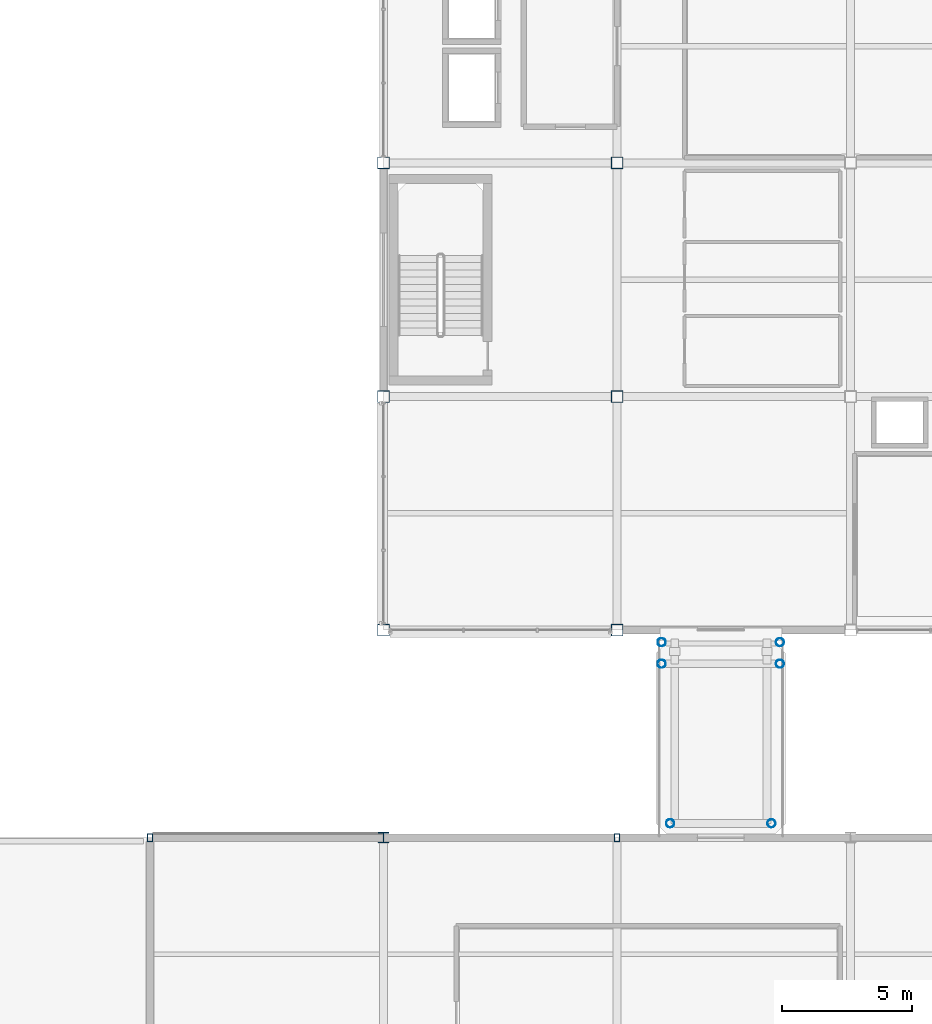
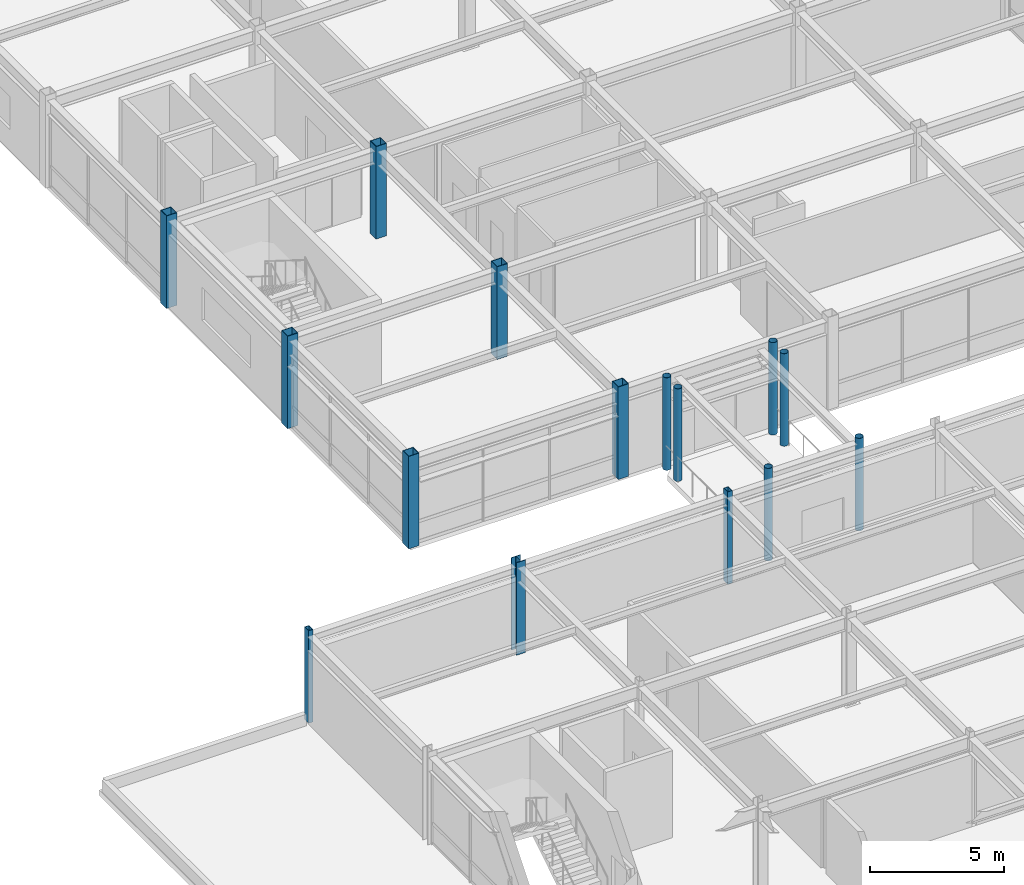
# One storey, part 18 of 105: 15 columns.
"""IFC4 building model written with IfcOpenShell, lengths in metres."""

from ifc_helpers import new_model, si_unit, direction, frame, origin, origin_2d, place, context, subcontext, project, spatial, hollow_rectangle, hollow_circle, i_section, extrude, material, material_profile, profile_set, type_object, element, save


model = new_model("IFC4")

# Units and contexts
model_context = context("Model", 3, precision=1e-05, world=origin(), true_north=direction((0.0, 1.0)))
body_context = subcontext(model_context, "Body", "Model", "MODEL_VIEW")
ifc_project = project(units=[si_unit("LENGTHUNIT", "METRE"), si_unit("AREAUNIT", "SQUARE_METRE"), si_unit("VOLUMEUNIT", "CUBIC_METRE"), si_unit("PLANEANGLEUNIT", "RADIAN"), si_unit("MASSUNIT", "GRAM", prefix="KILO")], contexts=[model_context])

# Site, building, storey
site_placement = place(None, origin())
site = spatial("IfcSite", under=ifc_project, at=site_placement, CompositionType="ELEMENT")
building_placement = place(site_placement, origin())
building = spatial("IfcBuilding", under=site, at=building_placement, Name="Suzunagisa Mobility Hub", CompositionType="ELEMENT")
storey_placement = place(building_placement, frame((0.0, 0.0, 5.10009765625)))
storey = spatial("IfcBuildingStorey", under=building, at=storey_placement, Name="L01", CompositionType="ELEMENT", Elevation=5.10009765625)

# Columns
ifc_material = material(Name="Steel SN490B", Category="steel")
ifc_material_profile_1 = material_profile(ifc_material, hollow_circle(Radius=0.1591796875, WallThickness=0.01025390625, at=origin_2d()), Name="CHS-318.5x10.3")
ifc_profile_set_1 = profile_set([ifc_material_profile_1], Name="Steel SN490B")
column_type_1 = type_object("IfcColumnType", Name="Steel Column CL-09 CHS-318.5x10.3", PredefinedType="COLUMN", material=ifc_profile_set_1)
for number, where, z_axis, x_axis, name in (
    (1, (154.719970703125, 42.699951171875, 0.0), (0.0, 0.0, 1.0), (1.0, 0.0, 0.0), "L01 Column 277"),
    (2, (154.719970703125, 43.530029296875, 0.0), (0.0, 0.0, 1.0), (1.0, 0.0, 0.0), "L01 Column 278"),
    (3, (155.050048828125, 36.550048828125, 0.0), (0.0, 0.0, 1.0), (1.0, 0.0, 0.0), "L01 Column 279"),
    (4, (158.949951171875, 36.550048828125, 0.0), (0.0, 0.0, 1.0), (1.0, 0.0, 0.0), "L01 Column 280"),
    (5, (159.280029296875, 42.699951171875, 0.0), (0.0, 0.0, 1.0), (1.0, 0.0, 0.0), "L01 Column 281"),
    (6, (159.280029296875, 43.530029296875, 0.0), (0.0, 0.0, 1.0), (1.0, 0.0, 0.0), "L01 Column 282"),
):
    element("IfcColumn", number, at=place(storey_placement, frame(where, z_axis=z_axis, x_axis=x_axis)), inside=storey, type_object=column_type_1, Name=name, PredefinedType="COLUMN", context=body_context, shape_type="SweptSolid", body=[
        extrude(hollow_circle(Radius=0.1591796875, WallThickness=0.01025390625, at=origin_2d()), origin(), (0.0, 0.0, 1.0), 4.199951171875),
    ])
ifc_material_profile_2 = material_profile(ifc_material, i_section(OverallWidth=0.39990234375, OverallDepth=0.39990234375, WebThickness=0.012939453125, FlangeThickness=0.02099609375, FilletRadius=0.01611328125, at=origin_2d()), Name="H-400x400x13x21")
ifc_profile_set_2 = profile_set([ifc_material_profile_2], Name="Steel SN490B")
column_type_2 = type_object("IfcColumnType", Name="Steel Column CL-10 H-400x400x13x21", PredefinedType="COLUMN", material=ifc_profile_set_2)
column_placement = place(storey_placement, frame((144.0, 36.0, 0.0), z_axis=(0.0, 0.0, 1.0), x_axis=(1.0, 0.0, 0.0)))
element("IfcColumn", 7, at=column_placement, inside=storey, type_object=column_type_2, Name="L01 Column 255", PredefinedType="COLUMN", context=body_context, shape_type="SweptSolid", body=[
    extrude(i_section(OverallWidth=0.39990234375, OverallDepth=0.39990234375, WebThickness=0.012939453125, FlangeThickness=0.02099609375, FilletRadius=0.01611328125, at=origin_2d()), origin(), (0.0, 0.0, 1.0), 4.199951171875),
])
ifc_material_profile_3 = material_profile(ifc_material, hollow_rectangle(XDim=0.199951171875, YDim=0.300048828125, WallThickness=0.011962890625, at=origin_2d()), Name="RHS-300x200x12")
ifc_profile_set_3 = profile_set([ifc_material_profile_3], Name="Steel SN490B")
column_type_3 = type_object("IfcColumnType", Name="Steel Column CL-15 RHS-300x200x12", PredefinedType="COLUMN", material=ifc_profile_set_3)
for number, where, z_axis, x_axis, name in (
    (8, (135.0, 36.0, 0.0), (0.0, 0.0, 1.0), (1.0, 0.0, 0.0), "L01 Column 246"),
    (9, (153.0, 36.0, 0.0), (0.0, 0.0, 1.0), (1.0, 0.0, 0.0), "L01 Column 268"),
):
    element("IfcColumn", number, at=place(storey_placement, frame(where, z_axis=z_axis, x_axis=x_axis)), inside=storey, type_object=column_type_3, Name=name, PredefinedType="COLUMN", context=body_context, shape_type="SweptSolid", body=[
        extrude(hollow_rectangle(XDim=0.199951171875, YDim=0.300048828125, WallThickness=0.011962890625, at=origin_2d()), origin(), (0.0, 0.0, 1.0), 4.199951171875),
    ])
ifc_material_profile_4 = material_profile(ifc_material, hollow_rectangle(XDim=0.449951171875, YDim=0.449951171875, WallThickness=0.02197265625, at=origin_2d()), Name="BCR-450x450x22")
ifc_profile_set_4 = profile_set([ifc_material_profile_4], Name="Steel SN490B")
column_type_4 = type_object("IfcColumnType", Name="Steel Column CL-17 BCR-450x450x22", PredefinedType="COLUMN", material=ifc_profile_set_4)
for number, where, z_axis, x_axis, name in (
    (10, (144.0, 44.0, 0.0), (0.0, 0.0, 1.0), (1.0, 0.0, 0.0), "L01 Column 256"),
    (11, (144.0, 53.0, 0.0), (0.0, 0.0, 1.0), (1.0, 0.0, 0.0), "L01 Column 257"),
    (12, (144.0, 62.0, 0.0), (0.0, 0.0, 1.0), (1.0, 0.0, 0.0), "L01 Column 258"),
    (13, (153.0, 44.0, 0.0), (0.0, 0.0, 1.0), (1.0, 0.0, 0.0), "L01 Column 269"),
    (14, (153.0, 53.0, 0.0), (0.0, 0.0, 1.0), (1.0, 0.0, 0.0), "L01 Column 270"),
    (15, (153.0, 62.0, 0.0), (0.0, 0.0, 1.0), (1.0, 0.0, 0.0), "L01 Column 271"),
):
    element("IfcColumn", number, at=place(storey_placement, frame(where, z_axis=z_axis, x_axis=x_axis)), inside=storey, type_object=column_type_4, Name=name, PredefinedType="COLUMN", context=body_context, shape_type="SweptSolid", body=[
        extrude(hollow_rectangle(XDim=0.449951171875, YDim=0.449951171875, WallThickness=0.02197265625, at=origin_2d()), origin(), (0.0, 0.0, 1.0), 4.199951171875),
    ])

save(model, "model.ifc")
